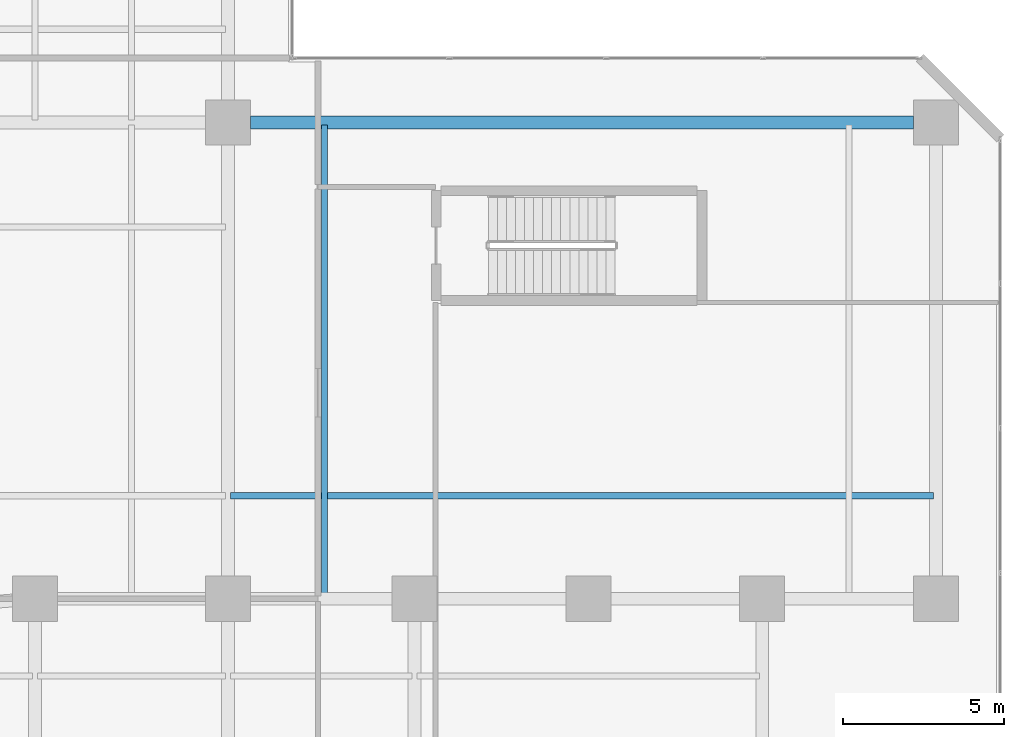
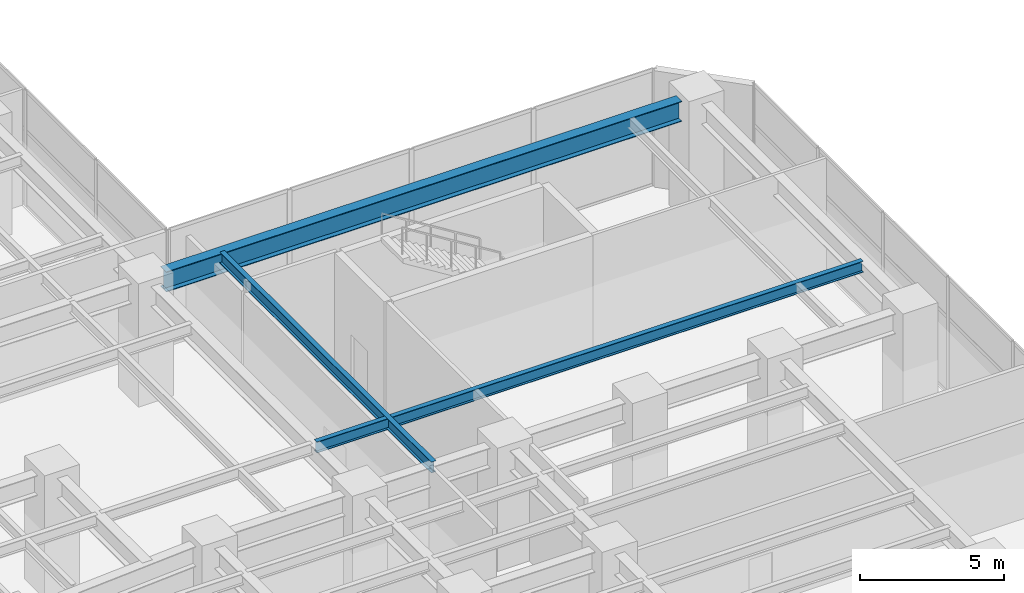
# One storey, part 3 of 22: 3 beams.
"""IFC4 building model written with IfcOpenShell, lengths in metres."""

import ifcopenshell
import ifcopenshell.guid

model = None  # the IFC model being written
_history = None  # IfcOwnerHistory: only IFC2X3 demands one
_inside = {}  # id of a spatial element -> (the spatial element, [elements in it])
_under = {}  # id of a project, library or spatial element -> (it, [spatial elements below it])
_declared = {}  # id of a project -> (the project, [libraries it declares])
_typed = {}  # id of a type object -> (the type object, [elements of that type])
_made_of = {}  # id of a material, layer set ... -> (it, [elements and type objects made of it])


def new_model(schema):
    """Start an empty IFC model of exactly this schema.

    Asked for "IFC4X3", IfcOpenShell would pick the latest addendum, in which some entities
    have other attributes; the version numbers below select the first issue.
    IFC2X3 requires an IfcOwnerHistory on every rooted entity: one is made here for all.
    """
    global model, _history
    if schema == "IFC4X3":
        model = ifcopenshell.file(schema_version=(4, 3, 0, 0))
    else:
        model = ifcopenshell.file(schema=schema)
    _inside.clear()
    _under.clear()
    _declared.clear()
    _typed.clear()
    _made_of.clear()
    _history = None
    if model.schema == "IFC2X3":
        org = make("IfcOrganization", Name="unknown")
        user = make(
            "IfcPersonAndOrganization",
            ThePerson=make("IfcPerson", FamilyName="unknown"),
            TheOrganization=org,
        )
        app = make(
            "IfcApplication",
            ApplicationDeveloper=org,
            Version="unknown",
            ApplicationFullName="unknown",
            ApplicationIdentifier="unknown",
        )
        _history = make(
            "IfcOwnerHistory",
            OwningUser=user,
            OwningApplication=app,
            ChangeAction="ADDED",
            CreationDate=0,
        )
    return model


def make(cls, **values):
    """One entity of the class cls with the attributes given. An attribute that is None is left unset."""
    return model.create_entity(
        cls, **{name: value for name, value in values.items() if value is not None}
    )


def rooted(cls, **values):
    """An entity with a GlobalId (a new one), such as an element, a storey or a relation."""
    return make(cls, GlobalId=ifcopenshell.guid.new(), OwnerHistory=_history, **values)


def si_unit(unit_type, name, prefix=None):
    """IfcSIUnit, for example si_unit("LENGTHUNIT", "METRE", prefix="MILLI")."""
    return make("IfcSIUnit", UnitType=unit_type, Prefix=prefix, Name=name)


def assignment(units):
    """IfcUnitAssignment: the units of a project."""
    return None if units is None else make("IfcUnitAssignment", Units=units)


def point(xyz):
    """IfcCartesianPoint."""
    return None if xyz is None else make("IfcCartesianPoint", Coordinates=xyz)


def direction(xyz):
    """IfcDirection."""
    return None if xyz is None else make("IfcDirection", DirectionRatios=xyz)


def frame(location, z_axis=None, x_axis=None):
    """IfcAxis2Placement3D, a coordinate frame: its origin and axes. An axis left out is left unset."""
    return make(
        "IfcAxis2Placement3D",
        Location=point(location),
        Axis=direction(z_axis),
        RefDirection=direction(x_axis),
    )


def frame_2d(location, x_axis=None):
    """IfcAxis2Placement2D, a coordinate frame in the plane: its origin and x axis."""
    return make(
        "IfcAxis2Placement2D", Location=point(location), RefDirection=direction(x_axis)
    )


def origin():
    """The frame at (0, 0, 0) with its axes left unset."""
    return frame((0.0, 0.0, 0.0))


def origin_2d():
    """The frame at (0, 0) in the plane with its x axis left unset."""
    return frame_2d((0.0, 0.0))


def place(relative_to, where):
    """IfcLocalPlacement: puts the frame where relative to a parent placement (None: the world)."""
    return make(
        "IfcLocalPlacement", PlacementRelTo=relative_to, RelativePlacement=where
    )


def context(
    kind, dimensions, precision=None, world=None, true_north=None, identifier=None
):
    """IfcGeometricRepresentationContext, for example the 3D "Model" context."""
    return make(
        "IfcGeometricRepresentationContext",
        ContextIdentifier=identifier,
        ContextType=kind,
        CoordinateSpaceDimension=dimensions,
        Precision=precision,
        WorldCoordinateSystem=world,
        TrueNorth=true_north,
    )


def subcontext(parent, identifier, kind, view, scale=None):
    """IfcGeometricRepresentationSubContext, for example "Body" below "Model"."""
    return make(
        "IfcGeometricRepresentationSubContext",
        ContextIdentifier=identifier,
        ContextType=kind,
        ParentContext=parent,
        TargetScale=scale,
        TargetView=view,
    )


def project(units=None, contexts=None):
    """IfcProject with its units and contexts."""
    return rooted(
        "IfcProject",
        Name="project",
        RepresentationContexts=contexts,
        UnitsInContext=assignment(units),
    )


def spatial(cls, under=None, at=None, **own):
    """A site, building, storey or space (cls), placed at a placement, below another one or the project."""
    s = rooted(cls, ObjectPlacement=at, **own)
    if under is not None:
        _under.setdefault(under.id(), (under, []))[1].append(s)
    return s


def profile(cls, at=None, kind="AREA", **sizes):
    """A parametric profile (cls). Its sizes go by their IFC names, for example OverallWidth=200.0."""
    return make(cls, ProfileType=kind, Position=at, **sizes)


def i_section(**sizes):
    """IfcIShapeProfileDef."""
    return profile("IfcIShapeProfileDef", **sizes)


def extrude(swept, where, along, depth):
    """IfcExtrudedAreaSolid: the profile swept, set in the frame where, extruded along a direction by depth."""
    return make(
        "IfcExtrudedAreaSolid",
        SweptArea=swept,
        Position=where,
        ExtrudedDirection=direction(along),
        Depth=depth,
    )


def shape(context_of_items, identifier, shape_type, items):
    """IfcShapeRepresentation: the items that make up one representation, for example the "Body"."""
    return make(
        "IfcShapeRepresentation",
        ContextOfItems=context_of_items,
        RepresentationIdentifier=identifier,
        RepresentationType=shape_type,
        Items=items,
    )


def material(Name=None, Category=None):
    """IfcMaterial."""
    return make("IfcMaterial", Name=Name, Category=Category)


def material_profile(
    of_material, cross_section, Name=None, Category=None, Priority=None
):
    """IfcMaterialProfile: a cross section and its material."""
    return make(
        "IfcMaterialProfile",
        Name=Name,
        Material=of_material,
        Profile=cross_section,
        Priority=Priority,
        Category=Category,
    )


def profile_set(profiles, Name=None, composite=None):
    """IfcMaterialProfileSet."""
    return make(
        "IfcMaterialProfileSet",
        Name=Name,
        MaterialProfiles=profiles,
        CompositeProfile=composite,
    )


def made_of(thing, what):
    """Note that an element or type object is made of a material, layer set ...; save() writes the relation."""
    if what is not None:
        _made_of.setdefault(what.id(), (what, []))[1].append(thing)
    return thing


def type_object(cls, material=None, **own):
    """A type object (cls), such as IfcWallType, which elements share."""
    return made_of(rooted(cls, **own), material)


def element(
    cls,
    number,
    at=None,
    inside=None,
    cuts=None,
    type_object=None,
    material=None,
    context=None,
    identifier="Body",
    shape_type=None,
    held_by="IfcProductDefinitionShape",
    body=None,
    shapes=None,
    **own,
):
    """One element of the class cls, such as IfcWall. Its Tag is "e" and its number.

    at: its placement. inside: the storey or other place that contains it. cuts: it is an
    opening in that element (IfcRelVoidsElement). A single representation is given by context,
    identifier, shape_type and body (its items); several are given by shapes. held_by: the class
    of the entity that holds the representations. save() writes the other relations.
    """
    e = rooted(cls, Tag="e%d" % number, ObjectPlacement=at, **own)
    if body is not None:
        shapes = [shape(context, identifier, shape_type, body)]
    if shapes is not None:
        e.Representation = make(held_by, Representations=shapes)
    if inside is not None:
        _inside.setdefault(inside.id(), (inside, []))[1].append(e)
    if cuts is not None:
        rooted(
            "IfcRelVoidsElement", RelatingBuildingElement=cuts, RelatedOpeningElement=e
        )
    if type_object is not None:
        _typed.setdefault(type_object.id(), (type_object, []))[1].append(e)
    return made_of(e, material)


def aggregate(whole, parts):
    """IfcRelAggregates: a whole, such as a stair, and the parts it consists of."""
    return rooted("IfcRelAggregates", RelatingObject=whole, RelatedObjects=parts)


def save(model, path):
    """Write the relations noted so far, then the file.

    IfcRelAggregates (storeys below a building ...), IfcRelContainedInSpatialStructure (elements
    in a storey), IfcRelDefinesByType, IfcRelAssociatesMaterial and IfcRelDeclares: one each for
    every whole, place, type object, material and project.
    """
    for whole, parts in _under.values():
        aggregate(whole, parts)
    for where, things in _inside.values():
        rooted(
            "IfcRelContainedInSpatialStructure",
            RelatedElements=things,
            RelatingStructure=where,
        )
    for kind, things in _typed.values():
        rooted("IfcRelDefinesByType", RelatedObjects=things, RelatingType=kind)
    for what, things in _made_of.values():
        rooted("IfcRelAssociatesMaterial", RelatedObjects=things, RelatingMaterial=what)
    for by, libraries in _declared.values():
        rooted("IfcRelDeclares", RelatingContext=by, RelatedDefinitions=libraries)
    model.write(path)


model = new_model("IFC4")

# Units and contexts
model_context = context("Model", 3, precision=1e-05, world=origin(), true_north=direction((0.0, 1.0)))
body_context = subcontext(model_context, "Body", "Model", "MODEL_VIEW")
ifc_project = project(units=[si_unit("LENGTHUNIT", "METRE"), si_unit("AREAUNIT", "SQUARE_METRE"), si_unit("VOLUMEUNIT", "CUBIC_METRE"), si_unit("PLANEANGLEUNIT", "RADIAN"), si_unit("MASSUNIT", "GRAM", prefix="KILO")], contexts=[model_context])

# Site, building, storey
site_placement = place(None, origin())
site = spatial("IfcSite", under=ifc_project, at=site_placement, CompositionType="ELEMENT")
building_placement = place(site_placement, origin())
building = spatial("IfcBuilding", under=site, at=building_placement, Name="Mawjaban Terraces University", CompositionType="ELEMENT")
storey_placement = place(building_placement, frame((0.0, 0.0, 5.199951171875)))
storey = spatial("IfcBuildingStorey", under=building, at=storey_placement, Name="L01", CompositionType="ELEMENT", Elevation=5.199951171875)

# Beams
ifc_material = material(Name="Steel ASTM A572 Grade 50", Category="steel")
ifc_material_profile_1 = material_profile(ifc_material, i_section(OverallWidth=0.39990234375, OverallDepth=0.85498046875, WebThickness=0.018310546875, FlangeThickness=0.029296875, at=origin_2d()), Name="W840X299")
ifc_profile_set_1 = profile_set([ifc_material_profile_1], Name="Steel ASTM A572 Grade 50")
beam_type_1 = type_object("IfcBeamType", Name="Beam_B_W840X299", PredefinedType="BEAM", material=ifc_profile_set_1)
beam_1_placement = place(storey_placement, frame((52.699951171875, 30.0, 4.491943359375), z_axis=(1.0, 0.0, 0.0), x_axis=(0.0, 1.0, 0.0)))
element("IfcBeam", 1, at=beam_1_placement, inside=storey, type_object=beam_type_1, Name="L01 Beam BM-L01-EW-14", PredefinedType="BEAM", context=body_context, shape_type="SweptSolid", body=[
    extrude(i_section(OverallWidth=0.39990234375, OverallDepth=0.85498046875, WebThickness=0.018310546875, FlangeThickness=0.029296875, at=origin_2d()), origin(), (0.0, 0.0, 1.0), 20.60009765625),
])
ifc_material_profile_2 = material_profile(ifc_material, i_section(OverallWidth=0.194091796875, OverallDepth=0.468994140625, WebThickness=0.011474609375, FlangeThickness=0.0205078125, at=origin_2d()), Name="W460X106")
ifc_profile_set_2 = profile_set([ifc_material_profile_2], Name="Steel ASTM A572 Grade 50")
beam_type_2 = type_object("IfcBeamType", Name="Beam_J_W460X106", PredefinedType="JOIST", material=ifc_profile_set_2)
beam_2_placement = place(storey_placement, frame((52.080078125, 18.39990234375, 4.68505859375), z_axis=(1.0, 0.0, 0.0), x_axis=(0.0, 1.0, 0.0)))
element("IfcBeam", 2, at=beam_2_placement, inside=storey, type_object=beam_type_2, Name="L01 Composite Joist JST-L01-17", PredefinedType="JOIST", context=body_context, shape_type="SweptSolid", body=[
    extrude(i_section(OverallWidth=0.194091796875, OverallDepth=0.468994140625, WebThickness=0.011474609375, FlangeThickness=0.0205078125, at=origin_2d()), origin(), (0.0, 0.0, 1.0), 21.83984375),
])
beam_3_placement = place(storey_placement, frame((55.0, 15.280029296875, 4.68505859375), z_axis=(0.0, 1.0, 0.0), x_axis=(-1.0, 0.0, 0.0)))
element("IfcBeam", 3, at=beam_3_placement, inside=storey, type_object=beam_type_2, Name="L01 Composite Joist JST-L01-NS-33", PredefinedType="JOIST", context=body_context, shape_type="SweptSolid", body=[
    extrude(i_section(OverallWidth=0.194091796875, OverallDepth=0.468994140625, WebThickness=0.011474609375, FlangeThickness=0.0205078125, at=origin_2d()), origin(), (0.0, 0.0, 1.0), 14.639892578125),
])

save(model, "model.ifc")
